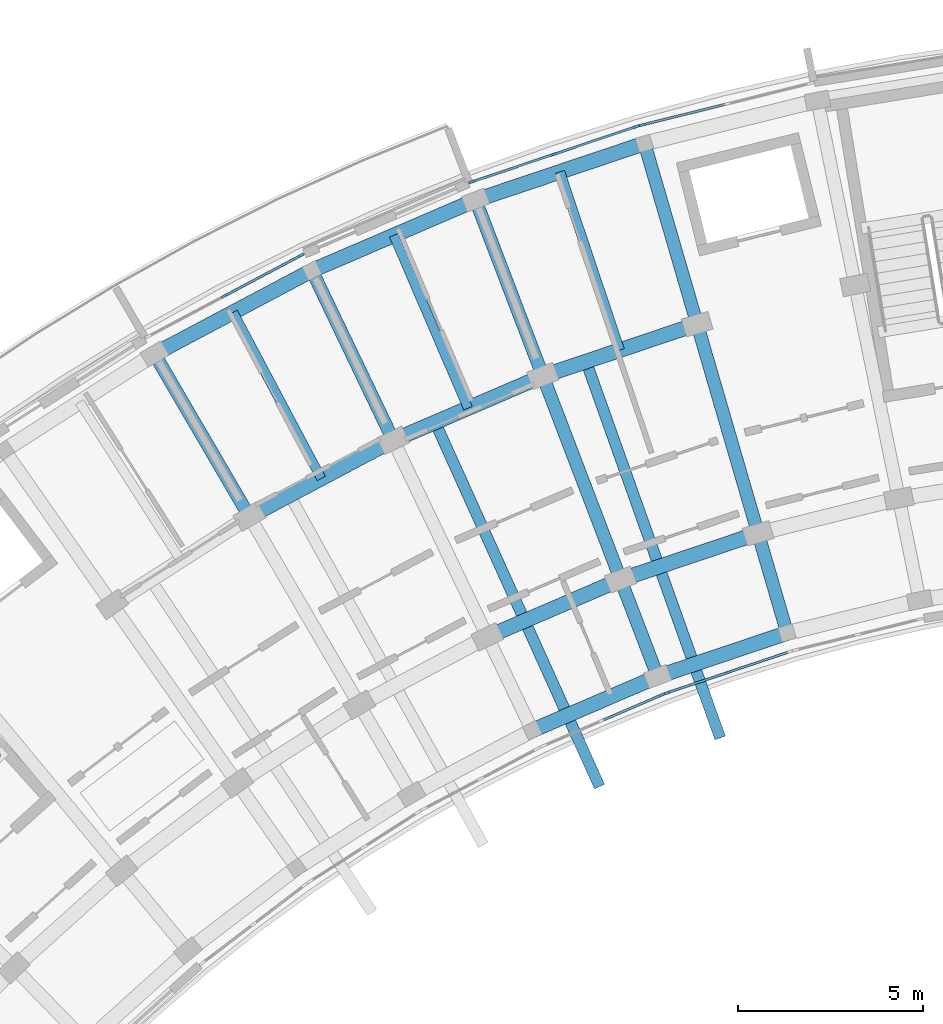
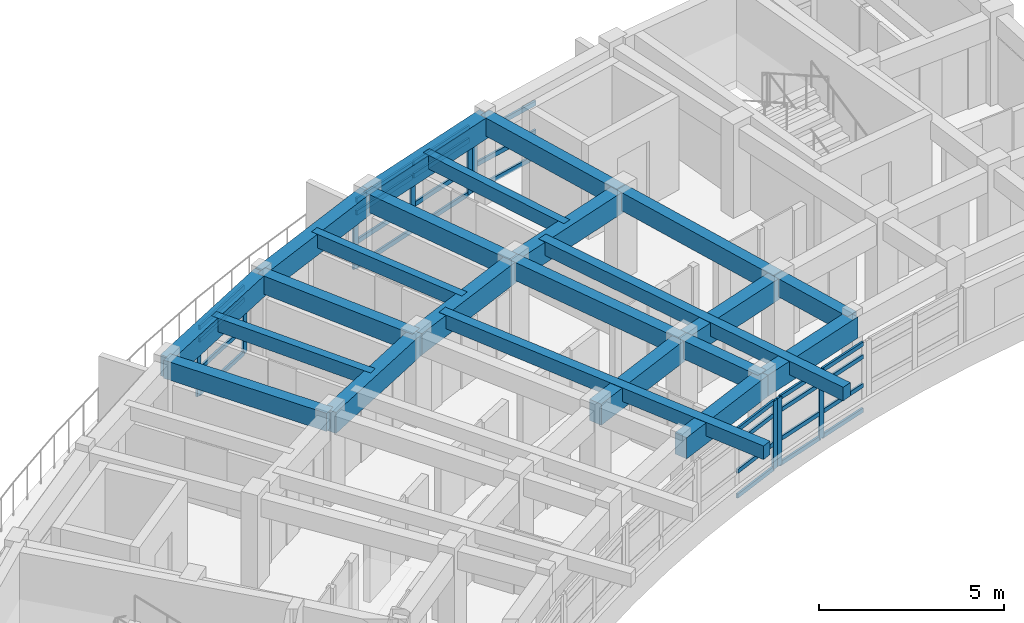
# One storey, part 10 of 50: 36 members, 23 beams, 5 elements without a shape of their own.
"""IFC4 building model written with IfcOpenShell, lengths in metres."""

from ifc_helpers import new_model, si_unit, direction, frame, origin, origin_2d, place, context, subcontext, project, spatial, rectangle, extrude, material, material_profile, profile_set, type_object, element, aggregate, save


model = new_model("IFC4")

# Units and contexts
model_context = context("Model", 3, precision=1e-05, world=origin(), true_north=direction((0.0, 1.0)))
body_context = subcontext(model_context, "Body", "Model", "MODEL_VIEW")
ifc_project = project(units=[si_unit("LENGTHUNIT", "METRE"), si_unit("AREAUNIT", "SQUARE_METRE"), si_unit("VOLUMEUNIT", "CUBIC_METRE"), si_unit("PLANEANGLEUNIT", "RADIAN"), si_unit("MASSUNIT", "GRAM", prefix="KILO")], contexts=[model_context])

# Site, building, storey
site_placement = place(None, origin())
site = spatial("IfcSite", under=ifc_project, at=site_placement, CompositionType="ELEMENT")
building_placement = place(site_placement, origin())
building = spatial("IfcBuilding", under=site, at=building_placement, Name="Zimvara Arc Housing Community", CompositionType="ELEMENT")
storey_placement = place(building_placement, frame((0.0, 0.0, 26.699951171875)))
storey = spatial("IfcBuildingStorey", under=building, at=storey_placement, Name="L08", CompositionType="ELEMENT", Elevation=26.699951171875)

# Beams
ifc_material_1 = material(Name="Concrete C40/50", Category="concrete")
ifc_material_profile_1 = material_profile(ifc_material_1, rectangle(XDim=0.25, YDim=0.449951171875, at=origin_2d()), Name="RC 250x450")
ifc_profile_set_1 = profile_set([ifc_material_profile_1], Name="Concrete C40/50")
beam_type_1 = type_object("IfcBeamType", Name="BM-RC-250x450", PredefinedType="JOIST", material=ifc_profile_set_1)
beam_1_placement = place(storey_placement, frame((19.813232421875, 91.9892578125, 2.655029296875), z_axis=(-0.46853732736, 0.883443701019, 0.0), x_axis=(-0.883443701019, -0.46853732736, 0.0)))
element("IfcBeam", 1, at=beam_1_placement, inside=storey, type_object=beam_type_1, Name="bm:blkA:L08:joist:b4", PredefinedType="JOIST", context=body_context, shape_type="SweptSolid", body=[
    extrude(rectangle(XDim=0.25, YDim=0.449951171875, at=origin_2d()), origin(), (0.0, 0.0, 1.0), 5.07568359375),
])
beam_2_placement = place(storey_placement, frame((23.77197265625, 93.885986328125, 2.655029296875), z_axis=(-0.394929109608, 0.918711596958, 0.0), x_axis=(-0.918711596958, -0.394929109608, 0.0)))
element("IfcBeam", 2, at=beam_2_placement, inside=storey, type_object=beam_type_1, Name="bm:blkA:L08:joist:b5", PredefinedType="JOIST", context=body_context, shape_type="SweptSolid", body=[
    extrude(rectangle(XDim=0.25, YDim=0.449951171875, at=origin_2d()), origin(), (0.0, 0.0, 1.0), 5.075927734375),
])
beam_3_placement = place(storey_placement, frame((27.8720703125, 95.453369140625, 2.655029296875), z_axis=(-0.318607669836, 0.947886677152, 0.0), x_axis=(-0.947886677152, -0.318607669836, 0.0)))
element("IfcBeam", 3, at=beam_3_placement, inside=storey, type_object=beam_type_1, Name="bm:blkA:L08:joist:b6", PredefinedType="JOIST", context=body_context, shape_type="SweptSolid", body=[
    extrude(rectangle(XDim=0.25, YDim=0.449951171875, at=origin_2d()), origin(), (0.0, 0.0, 1.0), 5.07568359375),
])
ifc_material_2 = material(Name="Concrete C40/50", Category="concrete")
ifc_material_profile_2 = material_profile(ifc_material_2, rectangle(XDim=0.300048828125, YDim=0.449951171875, at=origin_2d()), Name="RC 300x450")
ifc_profile_set_2 = profile_set([ifc_material_profile_2], Name="Concrete C40/50")
beam_type_2 = type_object("IfcBeamType", Name="BM-RC-300x450", PredefinedType="JOIST", material=ifc_profile_set_2)
beam_4_placement = place(storey_placement, frame((22.869384765625, 93.53759765625, 2.6650390625), z_axis=(0.411355165121, -0.911475138513, 0.0), x_axis=(0.911475138513, 0.411355165121, 0.0)))
element("IfcBeam", 4, at=beam_4_placement, inside=storey, type_object=beam_type_2, Name="bm:blkA:L08:cant_in:b5", PredefinedType="JOIST", context=body_context, shape_type="SweptSolid", body=[
    extrude(rectangle(XDim=0.300048828125, YDim=0.449951171875, at=origin_2d()), origin(), (0.0, 0.0, 1.0), 10.820068359375),
])
beam_5_placement = place(storey_placement, frame((26.9443359375, 95.1796875, 2.6650390625), z_axis=(0.335595863833, -0.942006059523, 0.0), x_axis=(0.942006059523, 0.335595863833, 0.0)))
element("IfcBeam", 5, at=beam_5_placement, inside=storey, type_object=beam_type_2, Name="bm:blkA:L08:cant_in:b6", PredefinedType="JOIST", context=body_context, shape_type="SweptSolid", body=[
    extrude(rectangle(XDim=0.300048828125, YDim=0.449951171875, at=origin_2d()), origin(), (0.0, 0.0, 1.0), 10.81982421875),
])
ifc_material_3 = material(Name="Concrete C40/50", Category="concrete")
ifc_material_profile_3 = material_profile(ifc_material_3, rectangle(XDim=0.35009765625, YDim=0.60009765625, at=origin_2d()), Name="RC 350x600")
ifc_profile_set_3 = profile_set([ifc_material_profile_3], Name="Concrete C40/50")
beam_type_3 = type_object("IfcBeamType", Name="BM-RC-350x600", PredefinedType="BEAM", material=ifc_profile_set_3)
beam_6_placement = place(storey_placement, frame((17.87255859375, 90.960205078125, 2.580078125), z_axis=(-0.504196701544, 0.863588840915, 0.0), x_axis=(-0.863588840915, -0.504196701544, 0.0)))
element("IfcBeam", 6, at=beam_6_placement, inside=storey, type_object=beam_type_3, Name="bm:blkA:L08:rad:b4:r23", PredefinedType="BEAM", context=body_context, shape_type="SweptSolid", body=[
    extrude(rectangle(XDim=0.35009765625, YDim=0.60009765625, at=origin_2d()), origin(), (0.0, 0.0, 1.0), 5.079833984375),
])
beam_7_placement = place(storey_placement, frame((21.75390625, 93.0185546875, 2.580078125), z_axis=(-0.432098194978, 0.901826563091, 0.0), x_axis=(-0.901826563091, -0.432098194978, 0.0)))
element("IfcBeam", 7, at=beam_7_placement, inside=storey, type_object=beam_type_3, Name="bm:blkA:L08:rad:b5:r23", PredefinedType="BEAM", context=body_context, shape_type="SweptSolid", body=[
    extrude(rectangle(XDim=0.35009765625, YDim=0.60009765625, at=origin_2d()), origin(), (0.0, 0.0, 1.0), 5.080078125),
])
beam_8_placement = place(storey_placement, frame((28.88916015625, 86.645751953125, 2.580078125), z_axis=(-0.357079289134, 0.934074076972, 0.0), x_axis=(-0.934074076972, -0.357079289134, 0.0)))
element("IfcBeam", 8, at=beam_8_placement, inside=storey, type_object=beam_type_3, Name="bm:blkA:L08:rad:b6:r01", PredefinedType="BEAM", context=body_context, shape_type="SweptSolid", body=[
    extrude(rectangle(XDim=0.35009765625, YDim=0.60009765625, at=origin_2d()), origin(), (0.0, 0.0, 1.0), 2.7998046875),
])
beam_9_placement = place(storey_placement, frame((27.889404296875, 89.260986328125, 2.580078125), z_axis=(-0.357036247742, 0.934090529766, 0.0), x_axis=(-0.934090529766, -0.357036247742, 0.0)))
element("IfcBeam", 9, at=beam_9_placement, inside=storey, type_object=beam_type_3, Name="bm:blkA:L08:rad:b6:r12", PredefinedType="BEAM", context=body_context, shape_type="SweptSolid", body=[
    extrude(rectangle(XDim=0.35009765625, YDim=0.60009765625, at=origin_2d()), origin(), (0.0, 0.0, 1.0), 5.8798828125),
])
beam_10_placement = place(storey_placement, frame((25.7900390625, 94.75341796875, 2.580078125), z_axis=(-0.357078271386, 0.934074466038, 0.0), x_axis=(-0.934074466038, -0.357078271386, 0.0)))
element("IfcBeam", 10, at=beam_10_placement, inside=storey, type_object=beam_type_3, Name="bm:blkA:L08:rad:b6:r23", PredefinedType="BEAM", context=body_context, shape_type="SweptSolid", body=[
    extrude(rectangle(XDim=0.35009765625, YDim=0.60009765625, at=origin_2d()), origin(), (0.0, 0.0, 1.0), 5.080078125),
])
beam_11_placement = place(storey_placement, frame((32.381591796875, 87.819580078125, 2.580078125), z_axis=(-0.279635015525, 0.960106378529, 0.0), x_axis=(-0.960106378529, -0.279635015525, 0.0)))
element("IfcBeam", 11, at=beam_11_placement, inside=storey, type_object=beam_type_3, Name="bm:blkA:L08:rad:b7:r01", PredefinedType="BEAM", context=body_context, shape_type="SweptSolid", body=[
    extrude(rectangle(XDim=0.35009765625, YDim=0.60009765625, at=origin_2d()), origin(), (0.0, 0.0, 1.0), 2.800048828125),
])
beam_12_placement = place(storey_placement, frame((31.5986328125, 90.5078125, 2.580078125), z_axis=(-0.27967473749, 0.960094808449, 0.0), x_axis=(-0.960094808449, -0.27967473749, 0.0)))
element("IfcBeam", 12, at=beam_12_placement, inside=storey, type_object=beam_type_3, Name="bm:blkA:L08:rad:b7:r12", PredefinedType="BEAM", context=body_context, shape_type="SweptSolid", body=[
    extrude(rectangle(XDim=0.35009765625, YDim=0.60009765625, at=origin_2d()), origin(), (0.0, 0.0, 1.0), 5.880126953125),
])
beam_13_placement = place(storey_placement, frame((29.9541015625, 96.1533203125, 2.580078125), z_axis=(-0.279662254096, 0.960098444762, 0.0), x_axis=(-0.960098444762, -0.279662254096, 0.0)))
element("IfcBeam", 13, at=beam_13_placement, inside=storey, type_object=beam_type_3, Name="bm:blkA:L08:rad:b7:r23", PredefinedType="BEAM", context=body_context, shape_type="SweptSolid", body=[
    extrude(rectangle(XDim=0.35009765625, YDim=0.60009765625, at=origin_2d()), origin(), (0.0, 0.0, 1.0), 5.079833984375),
])
ifc_material_4 = material(Name="Concrete C40/50", Category="concrete")
ifc_material_profile_4 = material_profile(ifc_material_4, rectangle(XDim=0.39990234375, YDim=0.699951171875, at=origin_2d()), Name="RC 400x700")
ifc_profile_set_4 = profile_set([ifc_material_profile_4], Name="Concrete C40/50")
beam_type_4 = type_object("IfcBeamType", Name="BM-RC-400x700", PredefinedType="BEAM", material=ifc_profile_set_4)
for number, where, z_axis, x_axis, name in (
    (14, (25.50439453125, 85.190673828125, 2.530029296875), (0.918705736243, 0.394942742932, 0.0), (-0.394942742932, 0.918705736243, 0.0), "bm:blkA:L08:chord:r0:b5"),
    (15, (28.88916015625, 86.645751953125, 2.530029296875), (0.94789181932, 0.31859237101, 0.0), (-0.31859237101, 0.94789181932, 0.0), "bm:blkA:L08:chord:r0:b6"),
):
    element("IfcBeam", number, at=place(storey_placement, frame(where, z_axis=z_axis, x_axis=x_axis)), inside=storey, type_object=beam_type_4, Name=name, PredefinedType="BEAM", context=body_context, shape_type="SweptSolid", body=[
        extrude(rectangle(XDim=0.39990234375, YDim=0.699951171875, at=origin_2d()), origin(), (0.0, 0.0, 1.0), 3.684326171875),
    ])
for number, where, z_axis, x_axis, name in (
    (16, (24.29443359375, 87.7158203125, 2.530029296875), (0.91873144242, 0.394882940514, 0.0), (-0.394882940514, 0.91873144242, 0.0), "bm:blkA:L08:chord:r1:b5"),
    (17, (27.889404296875, 89.260986328125, 2.530029296875), (0.947881689069, 0.31862250945, 0.0), (-0.31862250945, 0.947881689069, 0.0), "bm:blkA:L08:chord:r1:b6"),
):
    element("IfcBeam", number, at=place(storey_placement, frame(where, z_axis=z_axis, x_axis=x_axis)), inside=storey, type_object=beam_type_4, Name=name, PredefinedType="BEAM", context=body_context, shape_type="SweptSolid", body=[
        extrude(rectangle(XDim=0.39990234375, YDim=0.699951171875, at=origin_2d()), origin(), (0.0, 0.0, 1.0), 3.9130859375),
    ])
for number, where, z_axis, x_axis, name in (
    (18, (17.87255859375, 90.960205078125, 2.530029296875), (0.883456526058, 0.468513144496, 0.0), (-0.468513144496, 0.883456526058, 0.0), "bm:blkA:L08:chord:r2:b4"),
    (19, (21.75390625, 93.0185546875, 2.530029296875), (0.918724840088, 0.394898301093, 0.0), (-0.394898301093, 0.918724840088, 0.0), "bm:blkA:L08:chord:r2:b5"),
):
    element("IfcBeam", number, at=place(storey_placement, frame(where, z_axis=z_axis, x_axis=x_axis)), inside=storey, type_object=beam_type_4, Name=name, PredefinedType="BEAM", context=body_context, shape_type="SweptSolid", body=[
        extrude(rectangle(XDim=0.39990234375, YDim=0.699951171875, at=origin_2d()), origin(), (0.0, 0.0, 1.0), 4.393310546875),
    ])
beam_14_placement = place(storey_placement, frame((25.7900390625, 94.75341796875, 2.530029296875), z_axis=(0.947868796036, 0.318660862832, 0.0), x_axis=(-0.318660862832, 0.947868796036, 0.0)))
element("IfcBeam", 20, at=beam_14_placement, inside=storey, type_object=beam_type_4, Name="bm:blkA:L08:chord:r2:b6", PredefinedType="BEAM", context=body_context, shape_type="SweptSolid", body=[
    extrude(rectangle(XDim=0.39990234375, YDim=0.699951171875, at=origin_2d()), origin(), (0.0, 0.0, 1.0), 4.39306640625),
])
beam_15_placement = place(storey_placement, frame((15.311279296875, 95.34716796875, 2.530029296875), z_axis=(0.883445542299, 0.468533855546, 0.0), x_axis=(-0.468533855546, 0.883445542299, 0.0)))
element("IfcBeam", 21, at=beam_15_placement, inside=storey, type_object=beam_type_4, Name="bm:blkA:L08:chord:r3:b4", PredefinedType="BEAM", context=body_context, shape_type="SweptSolid", body=[
    extrude(rectangle(XDim=0.39990234375, YDim=0.699951171875, at=origin_2d()), origin(), (0.0, 0.0, 1.0), 4.807861328125),
])
beam_16_placement = place(storey_placement, frame((19.558837890625, 97.599853515625, 2.530029296875), z_axis=(0.918724276228, 0.394899612901, 0.0), x_axis=(-0.394899612901, 0.918724276228, 0.0)))
element("IfcBeam", 22, at=beam_16_placement, inside=storey, type_object=beam_type_4, Name="bm:blkA:L08:chord:r3:b5", PredefinedType="BEAM", context=body_context, shape_type="SweptSolid", body=[
    extrude(rectangle(XDim=0.39990234375, YDim=0.699951171875, at=origin_2d()), origin(), (0.0, 0.0, 1.0), 4.80810546875),
])
beam_17_placement = place(storey_placement, frame((23.97607421875, 99.49853515625, 2.530029296875), z_axis=(0.947877948153, 0.31863363822, 0.0), x_axis=(-0.31863363822, 0.947877948153, 0.0)))
element("IfcBeam", 23, at=beam_17_placement, inside=storey, type_object=beam_type_4, Name="bm:blkA:L08:chord:r3:b6", PredefinedType="BEAM", context=body_context, shape_type="SweptSolid", body=[
    extrude(rectangle(XDim=0.39990234375, YDim=0.699951171875, at=origin_2d()), origin(), (0.0, 0.0, 1.0), 4.807861328125),
])

# Curtain wall, members
ifc_material_5 = material(Name="Anodised Aluminium AW-6063", Category="aluminium")
curtain_wall_type_1 = type_object("IfcCurtainWallType", Name="CW-SYS-02", PredefinedType="USERDEFINED", material=ifc_material_5)
curtain_wall_1_placement = place(storey_placement, origin())
curtain_wall_1 = element("IfcCurtainWall", 24, at=curtain_wall_1_placement, inside=storey, type_object=curtain_wall_type_1, Name="cw:blkA:L08:out:b4", ObjectType="CURTAIN WALL", PredefinedType="USERDEFINED")
ifc_material_6 = material(Name="Anodised Aluminium AW-6063", Category="aluminium")
ifc_material_profile_5 = material_profile(ifc_material_6, rectangle(XDim=0.06494140625, YDim=0.179931640625, at=origin_2d()), Name="ALU 65x180")
ifc_profile_set_5 = profile_set([ifc_material_profile_5], Name="Anodised Aluminium AW-6063")
member_type_1 = type_object("IfcMemberType", Name="CWM-65x150", PredefinedType="MULLION", material=ifc_profile_set_5)
member_1_placement = place(storey_placement, frame((17.200927734375, 96.914794921875, 0.0), z_axis=(0.0, 0.0, 1.0), x_axis=(-0.468546917761, 0.883438614651, 0.0)))
member_1 = element("IfcMember", 25, at=member_1_placement, type_object=member_type_1, Name="CW02 mullion 2", PredefinedType="MULLION", context=body_context, shape_type="SweptSolid", body=[
    extrude(rectangle(XDim=0.06494140625, YDim=0.179931640625, at=origin_2d()), origin(), (0.0, 0.0, 1.0), 2.25),
])
member_2_placement = place(storey_placement, frame((19.260986328125, 98.007568359375, 0.0), z_axis=(0.0, 0.0, 1.0), x_axis=(-0.468546917761, 0.883438614651, 0.0)))
member_2 = element("IfcMember", 26, at=member_2_placement, type_object=member_type_1, Name="CW02 mullion 3", PredefinedType="MULLION", context=body_context, shape_type="SweptSolid", body=[
    extrude(rectangle(XDim=0.06494140625, YDim=0.179931640625, at=origin_2d()), origin(), (0.0, 0.0, 1.0), 2.25),
])

# Curtain wall, member
ifc_material_7 = material(Name="Anodised Aluminium AW-6063", Category="aluminium")
curtain_wall_type_2 = type_object("IfcCurtainWallType", Name="CW-SYS-04", PredefinedType="USERDEFINED", material=ifc_material_7)
curtain_wall_2_placement = place(storey_placement, origin())
curtain_wall_2 = element("IfcCurtainWall", 27, at=curtain_wall_2_placement, inside=storey, type_object=curtain_wall_type_2, Name="cw:blkA:L08:in:b5", ObjectType="CURTAIN WALL", PredefinedType="USERDEFINED")
member_3_placement = place(storey_placement, frame((28.98291015625, 86.14208984375, 0.0), z_axis=(0.0, 0.0, 1.0), x_axis=(-0.394904493375, 0.918722178415, 0.0)))
member_3 = element("IfcMember", 28, at=member_3_placement, type_object=member_type_1, Name="CW04 mullion 3", PredefinedType="MULLION", context=body_context, shape_type="SweptSolid", body=[
    extrude(rectangle(XDim=0.06494140625, YDim=0.179931640625, at=origin_2d()), origin(), (0.0, 0.0, 1.0), 2.25),
])

# Curtain wall, members
ifc_material_8 = material(Name="Anodised Aluminium AW-6063", Category="aluminium")
curtain_wall_type_3 = type_object("IfcCurtainWallType", Name="CW-SYS-06", PredefinedType="USERDEFINED", material=ifc_material_8)
curtain_wall_3_placement = place(storey_placement, origin())
curtain_wall_3 = element("IfcCurtainWall", 29, at=curtain_wall_3_placement, inside=storey, type_object=curtain_wall_type_3, Name="cw:blkA:L08:in:b6", ObjectType="CURTAIN WALL", PredefinedType="USERDEFINED")
member_4_placement = place(storey_placement, frame((29.155517578125, 86.2080078125, 0.0), z_axis=(0.0, 0.0, 1.0), x_axis=(-0.318630249383, 0.94787908732, 0.0)))
member_4 = element("IfcMember", 30, at=member_4_placement, type_object=member_type_1, Name="CW06 mullion 1", PredefinedType="MULLION", context=body_context, shape_type="SweptSolid", body=[
    extrude(rectangle(XDim=0.06494140625, YDim=0.179931640625, at=origin_2d()), origin(), (0.0, 0.0, 1.0), 2.25),
])
member_5_placement = place(storey_placement, frame((30.794677734375, 86.759033203125, 0.0), z_axis=(0.0, 0.0, 1.0), x_axis=(-0.318630249383, 0.94787908732, 0.0)))
member_5 = element("IfcMember", 31, at=member_5_placement, type_object=member_type_1, Name="CW06 mullion 2", PredefinedType="MULLION", context=body_context, shape_type="SweptSolid", body=[
    extrude(rectangle(XDim=0.06494140625, YDim=0.179931640625, at=origin_2d()), origin(), (0.0, 0.0, 1.0), 2.25),
])

ifc_material_9 = material(Name="Anodised Aluminium AW-6063", Category="aluminium")
curtain_wall_type_4 = type_object("IfcCurtainWallType", Name="CW-SYS-05", PredefinedType="USERDEFINED", material=ifc_material_9)
curtain_wall_4_placement = place(storey_placement, origin())
curtain_wall_4 = element("IfcCurtainWall", 32, at=curtain_wall_4_placement, inside=storey, type_object=curtain_wall_type_4, Name="cw:blkA:L08:out:b6", ObjectType="CURTAIN WALL", PredefinedType="USERDEFINED")
ifc_material_10 = material(Name="Anodised Aluminium AW-6063", Category="aluminium")
ifc_material_profile_6 = material_profile(ifc_material_10, rectangle(XDim=0.06494140625, YDim=0.195068359375, at=origin_2d()), Name="ALU 65x195")
ifc_profile_set_6 = profile_set([ifc_material_profile_6], Name="Anodised Aluminium AW-6063")
member_type_2 = type_object("IfcMemberType", Name="CWM-65x180", PredefinedType="MULLION", material=ifc_profile_set_6)
member_6_placement = place(storey_placement, frame((23.88525390625, 99.9951171875, 0.0), z_axis=(0.0, 0.0, 1.0), x_axis=(-0.318628583921, 0.947879647164, 0.0)))
member_6 = element("IfcMember", 33, at=member_6_placement, type_object=member_type_2, Name="CW05 mullion 1", PredefinedType="MULLION", context=body_context, shape_type="SweptSolid", body=[
    extrude(rectangle(XDim=0.06494140625, YDim=0.195068359375, at=origin_2d()), origin(), (0.0, 0.0, 1.0), 2.25),
])
member_7_placement = place(storey_placement, frame((26.095703125, 100.73828125, 0.0), z_axis=(0.0, 0.0, 1.0), x_axis=(-0.318628583921, 0.947879647164, 0.0)))
member_7 = element("IfcMember", 34, at=member_7_placement, type_object=member_type_2, Name="CW05 mullion 2", PredefinedType="MULLION", context=body_context, shape_type="SweptSolid", body=[
    extrude(rectangle(XDim=0.06494140625, YDim=0.195068359375, at=origin_2d()), origin(), (0.0, 0.0, 1.0), 2.25),
])
member_8_placement = place(storey_placement, frame((28.305908203125, 101.481201171875, 0.0), z_axis=(0.0, 0.0, 1.0), x_axis=(-0.318628583921, 0.947879647164, 0.0)))
member_8 = element("IfcMember", 35, at=member_8_placement, type_object=member_type_2, Name="CW05 mullion 3", PredefinedType="MULLION", context=body_context, shape_type="SweptSolid", body=[
    extrude(rectangle(XDim=0.06494140625, YDim=0.195068359375, at=origin_2d()), origin(), (0.0, 0.0, 1.0), 2.25),
])

# Curtain wall, member
ifc_material_11 = material(Name="Anodised Aluminium AW-6063", Category="aluminium")
curtain_wall_type_5 = type_object("IfcCurtainWallType", Name="CW-SYS-07", PredefinedType="USERDEFINED", material=ifc_material_11)
curtain_wall_5_placement = place(storey_placement, origin())
curtain_wall_5 = element("IfcCurtainWall", 36, at=curtain_wall_5_placement, inside=storey, type_object=curtain_wall_type_5, Name="cw:blkA:L08:out:b7", ObjectType="CURTAIN WALL", PredefinedType="USERDEFINED")
member_9_placement = place(storey_placement, frame((28.4833984375, 101.532958984375, 0.0), z_axis=(0.0, 0.0, 1.0), x_axis=(-0.240229711131, 0.970716068627, 0.0)))
member_9 = element("IfcMember", 37, at=member_9_placement, type_object=member_type_2, Name="CW07 mullion 1", PredefinedType="MULLION", context=body_context, shape_type="SweptSolid", body=[
    extrude(rectangle(XDim=0.06494140625, YDim=0.195068359375, at=origin_2d()), origin(), (0.0, 0.0, 1.0), 2.25),
])

# Member
ifc_material_12 = material(Name="Anodised Aluminium AW-6063", Category="aluminium")
ifc_material_profile_7 = material_profile(ifc_material_12, rectangle(XDim=0.06494140625, YDim=0.139892578125, at=origin_2d()), Name="ALU 65x140")
ifc_profile_set_7 = profile_set([ifc_material_profile_7], Name="Anodised Aluminium AW-6063")
member_type_3 = type_object("IfcMemberType", Name="CWT-65x120", PredefinedType="USERDEFINED", material=ifc_profile_set_7)
member_10_placement = place(storey_placement, frame((17.2294921875, 96.93017578125, 0.032470703125), z_axis=(0.883489114766, 0.468451688107, 0.0), x_axis=(-0.468451688107, 0.883489114766, 0.0)))
member_10 = element("IfcMember", 38, at=member_10_placement, type_object=member_type_3, Name="CW02 transom 2.1", ObjectType="TRANSOM", PredefinedType="USERDEFINED", context=body_context, shape_type="SweptSolid", body=[
    extrude(rectangle(XDim=0.06494140625, YDim=0.139892578125, at=origin_2d()), origin(), (0.0, 0.0, 1.0), 2.26708984375),
])

member_11_placement = place(storey_placement, frame((17.2294921875, 96.93017578125, 0.85009765625), z_axis=(0.883489114766, 0.468451688107, 0.0), x_axis=(-0.468451688107, 0.883489114766, 0.0)))
member_11 = element("IfcMember", 39, at=member_11_placement, type_object=member_type_3, Name="CW02 transom 2.2", ObjectType="TRANSOM", PredefinedType="USERDEFINED", context=body_context, shape_type="SweptSolid", body=[
    extrude(rectangle(XDim=0.06494140625, YDim=0.139892578125, at=origin_2d()), origin(), (0.0, 0.0, 1.0), 2.26708984375),
])

member_12_placement = place(storey_placement, frame((17.2294921875, 96.93017578125, 1.800048828125), z_axis=(0.883489114766, 0.468451688107, 0.0), x_axis=(-0.468451688107, 0.883489114766, 0.0)))
member_12 = element("IfcMember", 40, at=member_12_placement, type_object=member_type_3, Name="CW02 transom 2.3", ObjectType="TRANSOM", PredefinedType="USERDEFINED", context=body_context, shape_type="SweptSolid", body=[
    extrude(rectangle(XDim=0.06494140625, YDim=0.139892578125, at=origin_2d()), origin(), (0.0, 0.0, 1.0), 2.26708984375),
])

member_13_placement = place(storey_placement, frame((17.2294921875, 96.93017578125, 2.217529296875), z_axis=(0.883489114766, 0.468451688107, 0.0), x_axis=(-0.468451688107, 0.883489114766, 0.0)))
member_13 = element("IfcMember", 41, at=member_13_placement, type_object=member_type_3, Name="CW02 transom 2.4", ObjectType="TRANSOM", PredefinedType="USERDEFINED", context=body_context, shape_type="SweptSolid", body=[
    extrude(rectangle(XDim=0.06494140625, YDim=0.139892578125, at=origin_2d()), origin(), (0.0, 0.0, 1.0), 2.26708984375),
])

aggregate(curtain_wall_1, [member_1, member_2, member_10, member_11, member_12, member_13])

member_14_placement = place(storey_placement, frame((27.423828125, 85.471923828125, 0.032470703125), z_axis=(0.918673978315, 0.395016609229, 0.0), x_axis=(-0.395016609229, 0.918673978315, 0.0)))
member_14 = element("IfcMember", 42, at=member_14_placement, type_object=member_type_3, Name="CW04 transom 2.1", ObjectType="TRANSOM", PredefinedType="USERDEFINED", context=body_context, shape_type="SweptSolid", body=[
    extrude(rectangle(XDim=0.06494140625, YDim=0.139892578125, at=origin_2d()), origin(), (0.0, 0.0, 1.0), 1.664306640625),
])

member_15_placement = place(storey_placement, frame((27.423828125, 85.471923828125, 0.85009765625), z_axis=(0.918673978315, 0.395016609229, 0.0), x_axis=(-0.395016609229, 0.918673978315, 0.0)))
member_15 = element("IfcMember", 43, at=member_15_placement, type_object=member_type_3, Name="CW04 transom 2.2", ObjectType="TRANSOM", PredefinedType="USERDEFINED", context=body_context, shape_type="SweptSolid", body=[
    extrude(rectangle(XDim=0.06494140625, YDim=0.139892578125, at=origin_2d()), origin(), (0.0, 0.0, 1.0), 1.664306640625),
])

member_16_placement = place(storey_placement, frame((27.423828125, 85.471923828125, 1.800048828125), z_axis=(0.918673978315, 0.395016609229, 0.0), x_axis=(-0.395016609229, 0.918673978315, 0.0)))
member_16 = element("IfcMember", 44, at=member_16_placement, type_object=member_type_3, Name="CW04 transom 2.3", ObjectType="TRANSOM", PredefinedType="USERDEFINED", context=body_context, shape_type="SweptSolid", body=[
    extrude(rectangle(XDim=0.06494140625, YDim=0.139892578125, at=origin_2d()), origin(), (0.0, 0.0, 1.0), 1.664306640625),
])

member_17_placement = place(storey_placement, frame((27.423828125, 85.471923828125, 2.217529296875), z_axis=(0.918673978315, 0.395016609229, 0.0), x_axis=(-0.395016609229, 0.918673978315, 0.0)))
member_17 = element("IfcMember", 45, at=member_17_placement, type_object=member_type_3, Name="CW04 transom 2.4", ObjectType="TRANSOM", PredefinedType="USERDEFINED", context=body_context, shape_type="SweptSolid", body=[
    extrude(rectangle(XDim=0.06494140625, YDim=0.139892578125, at=origin_2d()), origin(), (0.0, 0.0, 1.0), 1.664306640625),
])

aggregate(curtain_wall_2, [member_3, member_14, member_15, member_16, member_17])

member_18_placement = place(storey_placement, frame((29.186279296875, 86.218505859375, 0.032470703125), z_axis=(0.947888214723, 0.318603095385, 0.0), x_axis=(-0.318603095385, 0.947888214723, 0.0)))
member_18 = element("IfcMember", 46, at=member_18_placement, type_object=member_type_3, Name="CW06 transom 1.1", ObjectType="TRANSOM", PredefinedType="USERDEFINED", context=body_context, shape_type="SweptSolid", body=[
    extrude(rectangle(XDim=0.06494140625, YDim=0.139892578125, at=origin_2d()), origin(), (0.0, 0.0, 1.0), 1.664306640625),
])

member_19_placement = place(storey_placement, frame((29.186279296875, 86.218505859375, 0.85009765625), z_axis=(0.947888214723, 0.318603095385, 0.0), x_axis=(-0.318603095385, 0.947888214723, 0.0)))
member_19 = element("IfcMember", 47, at=member_19_placement, type_object=member_type_3, Name="CW06 transom 1.2", ObjectType="TRANSOM", PredefinedType="USERDEFINED", context=body_context, shape_type="SweptSolid", body=[
    extrude(rectangle(XDim=0.06494140625, YDim=0.139892578125, at=origin_2d()), origin(), (0.0, 0.0, 1.0), 1.664306640625),
])

member_20_placement = place(storey_placement, frame((29.186279296875, 86.218505859375, 1.800048828125), z_axis=(0.947888214723, 0.318603095385, 0.0), x_axis=(-0.318603095385, 0.947888214723, 0.0)))
member_20 = element("IfcMember", 48, at=member_20_placement, type_object=member_type_3, Name="CW06 transom 1.3", ObjectType="TRANSOM", PredefinedType="USERDEFINED", context=body_context, shape_type="SweptSolid", body=[
    extrude(rectangle(XDim=0.06494140625, YDim=0.139892578125, at=origin_2d()), origin(), (0.0, 0.0, 1.0), 1.664306640625),
])

member_21_placement = place(storey_placement, frame((29.186279296875, 86.218505859375, 2.217529296875), z_axis=(0.947888214723, 0.318603095385, 0.0), x_axis=(-0.318603095385, 0.947888214723, 0.0)))
member_21 = element("IfcMember", 49, at=member_21_placement, type_object=member_type_3, Name="CW06 transom 1.4", ObjectType="TRANSOM", PredefinedType="USERDEFINED", context=body_context, shape_type="SweptSolid", body=[
    extrude(rectangle(XDim=0.06494140625, YDim=0.139892578125, at=origin_2d()), origin(), (0.0, 0.0, 1.0), 1.664306640625),
])

member_22_placement = place(storey_placement, frame((30.825439453125, 86.76953125, 0.032470703125), z_axis=(0.947888214723, 0.318603095385, 0.0), x_axis=(-0.318603095385, 0.947888214723, 0.0)))
member_22 = element("IfcMember", 50, at=member_22_placement, type_object=member_type_3, Name="CW06 transom 2.1", ObjectType="TRANSOM", PredefinedType="USERDEFINED", context=body_context, shape_type="SweptSolid", body=[
    extrude(rectangle(XDim=0.06494140625, YDim=0.139892578125, at=origin_2d()), origin(), (0.0, 0.0, 1.0), 1.664306640625),
])

member_23_placement = place(storey_placement, frame((30.825439453125, 86.76953125, 0.85009765625), z_axis=(0.947888214723, 0.318603095385, 0.0), x_axis=(-0.318603095385, 0.947888214723, 0.0)))
member_23 = element("IfcMember", 51, at=member_23_placement, type_object=member_type_3, Name="CW06 transom 2.2", ObjectType="TRANSOM", PredefinedType="USERDEFINED", context=body_context, shape_type="SweptSolid", body=[
    extrude(rectangle(XDim=0.06494140625, YDim=0.139892578125, at=origin_2d()), origin(), (0.0, 0.0, 1.0), 1.664306640625),
])

member_24_placement = place(storey_placement, frame((30.825439453125, 86.76953125, 1.800048828125), z_axis=(0.947888214723, 0.318603095385, 0.0), x_axis=(-0.318603095385, 0.947888214723, 0.0)))
member_24 = element("IfcMember", 52, at=member_24_placement, type_object=member_type_3, Name="CW06 transom 2.3", ObjectType="TRANSOM", PredefinedType="USERDEFINED", context=body_context, shape_type="SweptSolid", body=[
    extrude(rectangle(XDim=0.06494140625, YDim=0.139892578125, at=origin_2d()), origin(), (0.0, 0.0, 1.0), 1.664306640625),
])

member_25_placement = place(storey_placement, frame((30.825439453125, 86.76953125, 2.217529296875), z_axis=(0.947888214723, 0.318603095385, 0.0), x_axis=(-0.318603095385, 0.947888214723, 0.0)))
member_25 = element("IfcMember", 53, at=member_25_placement, type_object=member_type_3, Name="CW06 transom 2.4", ObjectType="TRANSOM", PredefinedType="USERDEFINED", context=body_context, shape_type="SweptSolid", body=[
    extrude(rectangle(XDim=0.06494140625, YDim=0.139892578125, at=origin_2d()), origin(), (0.0, 0.0, 1.0), 1.664306640625),
])

aggregate(curtain_wall_3, [member_4, member_5, member_18, member_19, member_20, member_21, member_22, member_23, member_24, member_25])

ifc_material_13 = material(Name="Anodised Aluminium AW-6063", Category="aluminium")
ifc_material_profile_8 = material_profile(ifc_material_13, rectangle(XDim=0.06494140625, YDim=0.155029296875, at=origin_2d()), Name="ALU 65x155")
ifc_profile_set_8 = profile_set([ifc_material_profile_8], Name="Anodised Aluminium AW-6063")
member_type_4 = type_object("IfcMemberType", Name="CWT-65x140", PredefinedType="USERDEFINED", material=ifc_profile_set_8)
member_26_placement = place(storey_placement, frame((23.916015625, 100.00537109375, 0.032470703125), z_axis=(0.947861605379, 0.318682250916, 0.0), x_axis=(-0.318682250916, 0.947861605379, 0.0)))
member_26 = element("IfcMember", 54, at=member_26_placement, type_object=member_type_4, Name="CW05 transom 1.1", ObjectType="TRANSOM", PredefinedType="USERDEFINED", context=body_context, shape_type="SweptSolid", body=[
    extrude(rectangle(XDim=0.06494140625, YDim=0.155029296875, at=origin_2d()), origin(), (0.0, 0.0, 1.0), 2.266845703125),
])

member_27_placement = place(storey_placement, frame((23.916015625, 100.00537109375, 0.85009765625), z_axis=(0.947861605379, 0.318682250916, 0.0), x_axis=(-0.318682250916, 0.947861605379, 0.0)))
member_27 = element("IfcMember", 55, at=member_27_placement, type_object=member_type_4, Name="CW05 transom 1.2", ObjectType="TRANSOM", PredefinedType="USERDEFINED", context=body_context, shape_type="SweptSolid", body=[
    extrude(rectangle(XDim=0.06494140625, YDim=0.155029296875, at=origin_2d()), origin(), (0.0, 0.0, 1.0), 2.266845703125),
])

member_28_placement = place(storey_placement, frame((23.916015625, 100.00537109375, 1.800048828125), z_axis=(0.947861605379, 0.318682250916, 0.0), x_axis=(-0.318682250916, 0.947861605379, 0.0)))
member_28 = element("IfcMember", 56, at=member_28_placement, type_object=member_type_4, Name="CW05 transom 1.3", ObjectType="TRANSOM", PredefinedType="USERDEFINED", context=body_context, shape_type="SweptSolid", body=[
    extrude(rectangle(XDim=0.06494140625, YDim=0.155029296875, at=origin_2d()), origin(), (0.0, 0.0, 1.0), 2.266845703125),
])

member_29_placement = place(storey_placement, frame((23.916015625, 100.00537109375, 2.217529296875), z_axis=(0.947861605379, 0.318682250916, 0.0), x_axis=(-0.318682250916, 0.947861605379, 0.0)))
member_29 = element("IfcMember", 57, at=member_29_placement, type_object=member_type_4, Name="CW05 transom 1.4", ObjectType="TRANSOM", PredefinedType="USERDEFINED", context=body_context, shape_type="SweptSolid", body=[
    extrude(rectangle(XDim=0.06494140625, YDim=0.155029296875, at=origin_2d()), origin(), (0.0, 0.0, 1.0), 2.266845703125),
])

member_30_placement = place(storey_placement, frame((26.12646484375, 100.74853515625, 0.032470703125), z_axis=(0.947861605379, 0.318682250916, 0.0), x_axis=(-0.318682250916, 0.947861605379, 0.0)))
member_30 = element("IfcMember", 58, at=member_30_placement, type_object=member_type_4, Name="CW05 transom 2.1", ObjectType="TRANSOM", PredefinedType="USERDEFINED", context=body_context, shape_type="SweptSolid", body=[
    extrude(rectangle(XDim=0.06494140625, YDim=0.155029296875, at=origin_2d()), origin(), (0.0, 0.0, 1.0), 2.266845703125),
])

member_31_placement = place(storey_placement, frame((26.12646484375, 100.74853515625, 0.85009765625), z_axis=(0.947861605379, 0.318682250916, 0.0), x_axis=(-0.318682250916, 0.947861605379, 0.0)))
member_31 = element("IfcMember", 59, at=member_31_placement, type_object=member_type_4, Name="CW05 transom 2.2", ObjectType="TRANSOM", PredefinedType="USERDEFINED", context=body_context, shape_type="SweptSolid", body=[
    extrude(rectangle(XDim=0.06494140625, YDim=0.155029296875, at=origin_2d()), origin(), (0.0, 0.0, 1.0), 2.266845703125),
])

member_32_placement = place(storey_placement, frame((26.12646484375, 100.74853515625, 1.800048828125), z_axis=(0.947861605379, 0.318682250916, 0.0), x_axis=(-0.318682250916, 0.947861605379, 0.0)))
member_32 = element("IfcMember", 60, at=member_32_placement, type_object=member_type_4, Name="CW05 transom 2.3", ObjectType="TRANSOM", PredefinedType="USERDEFINED", context=body_context, shape_type="SweptSolid", body=[
    extrude(rectangle(XDim=0.06494140625, YDim=0.155029296875, at=origin_2d()), origin(), (0.0, 0.0, 1.0), 2.266845703125),
])

member_33_placement = place(storey_placement, frame((26.12646484375, 100.74853515625, 2.217529296875), z_axis=(0.947861605379, 0.318682250916, 0.0), x_axis=(-0.318682250916, 0.947861605379, 0.0)))
member_33 = element("IfcMember", 61, at=member_33_placement, type_object=member_type_4, Name="CW05 transom 2.4", ObjectType="TRANSOM", PredefinedType="USERDEFINED", context=body_context, shape_type="SweptSolid", body=[
    extrude(rectangle(XDim=0.06494140625, YDim=0.155029296875, at=origin_2d()), origin(), (0.0, 0.0, 1.0), 2.266845703125),
])

aggregate(curtain_wall_4, [member_6, member_7, member_8, member_26, member_27, member_28, member_29, member_30, member_31, member_32, member_33])

member_34_placement = place(storey_placement, frame((28.51513671875, 101.540771484375, 0.032470703125), z_axis=(0.970728837212, 0.240178110172, 0.0), x_axis=(-0.240178110172, 0.970728837212, 0.0)))
member_34 = element("IfcMember", 62, at=member_34_placement, type_object=member_type_4, Name="CW07 transom 1.1", ObjectType="TRANSOM", PredefinedType="USERDEFINED", context=body_context, shape_type="SweptSolid", body=[
    extrude(rectangle(XDim=0.06494140625, YDim=0.155029296875, at=origin_2d()), origin(), (0.0, 0.0, 1.0), 2.266845703125),
])

member_35_placement = place(storey_placement, frame((28.51513671875, 101.540771484375, 0.85009765625), z_axis=(0.970728837212, 0.240178110172, 0.0), x_axis=(-0.240178110172, 0.970728837212, 0.0)))
member_35 = element("IfcMember", 63, at=member_35_placement, type_object=member_type_4, Name="CW07 transom 1.2", ObjectType="TRANSOM", PredefinedType="USERDEFINED", context=body_context, shape_type="SweptSolid", body=[
    extrude(rectangle(XDim=0.06494140625, YDim=0.155029296875, at=origin_2d()), origin(), (0.0, 0.0, 1.0), 2.266845703125),
])

member_36_placement = place(storey_placement, frame((28.51513671875, 101.540771484375, 1.800048828125), z_axis=(0.970728837212, 0.240178110172, 0.0), x_axis=(-0.240178110172, 0.970728837212, 0.0)))
member_36 = element("IfcMember", 64, at=member_36_placement, type_object=member_type_4, Name="CW07 transom 1.3", ObjectType="TRANSOM", PredefinedType="USERDEFINED", context=body_context, shape_type="SweptSolid", body=[
    extrude(rectangle(XDim=0.06494140625, YDim=0.155029296875, at=origin_2d()), origin(), (0.0, 0.0, 1.0), 2.266845703125),
])

aggregate(curtain_wall_5, [member_9, member_34, member_35, member_36])

save(model, "model.ifc")
